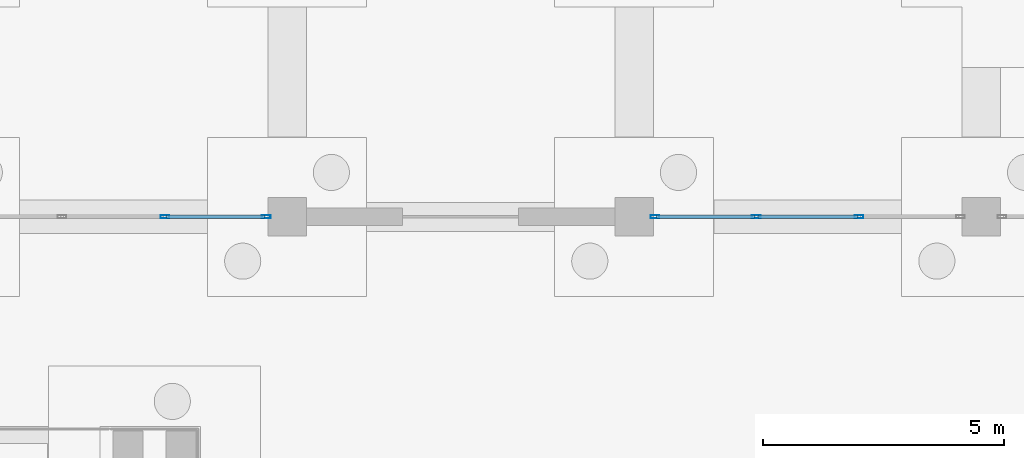
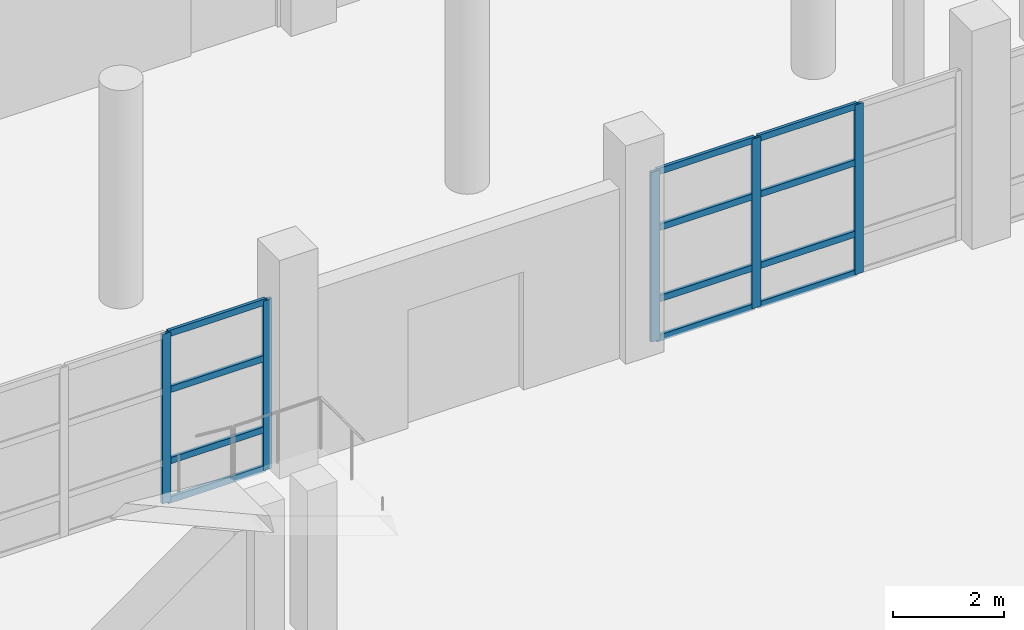
# One storey, part 21 of 42: 17 members, 2 elements without a shape of their own.
"""IFC4 building model written with IfcOpenShell, lengths in metres."""

from ifc_helpers import new_model, si_unit, direction, frame, origin, origin_2d, place, context, subcontext, project, spatial, hollow_rectangle, extrude, material, material_profile, profile_set, type_object, element, aggregate, save


model = new_model("IFC4")

# Units and contexts
model_context = context("Model", 3, precision=1e-05, world=origin(), true_north=direction((0.0, 1.0)))
body_context = subcontext(model_context, "Body", "Model", "MODEL_VIEW")
ifc_project = project(units=[si_unit("LENGTHUNIT", "METRE"), si_unit("AREAUNIT", "SQUARE_METRE"), si_unit("VOLUMEUNIT", "CUBIC_METRE"), si_unit("PLANEANGLEUNIT", "RADIAN"), si_unit("MASSUNIT", "GRAM", prefix="KILO")], contexts=[model_context])

# Site, building, storey
site_placement = place(None, origin())
site = spatial("IfcSite", under=ifc_project, at=site_placement, CompositionType="ELEMENT")
building_placement = place(site_placement, origin())
building = spatial("IfcBuilding", under=site, at=building_placement, Name="Pellamere Symphony Hall", CompositionType="ELEMENT")
storey_placement = place(building_placement, frame((0.0, 0.0, -4.800048828125)))
storey = spatial("IfcBuildingStorey", under=building, at=storey_placement, Name="B1", CompositionType="ELEMENT", Elevation=-4.800048828125)

# Curtain wall, members
ifc_material_1 = material(Name="Thermally Broken Anodised Aluminium 6063-T6 Curtain Wall", Category="aluminium")
curtain_wall_type = type_object("IfcCurtainWallType", Name="Curtain Wall CW-02 (Winter-Garden South Concourse Curtain Wall)", PredefinedType="NOTDEFINED", material=ifc_material_1)
curtain_wall_1_placement = place(storey_placement, origin())
curtain_wall_1 = element("IfcCurtainWall", 1, at=curtain_wall_1_placement, inside=storey, type_object=curtain_wall_type, Name="Winter-Garden South Curtain Wall (B1 Bay 2)", PredefinedType="NOTDEFINED")
ifc_material_2 = material(Name="Anodised Architectural Aluminium 6063-T6", Category="aluminium")
ifc_material_profile_1 = material_profile(ifc_material_2, hollow_rectangle(XDim=0.06494140625, YDim=0.179931640625, WallThickness=0.00390625, at=origin_2d()), Name="ALU-M65X180X4")
ifc_profile_set_1 = profile_set([ifc_material_profile_1], Name="Anodised Architectural Aluminium 6063-T6")
member_type_1 = type_object("IfcMemberType", Name="Curtain Wall Mullion ML-02 ALU-M65X180X4", PredefinedType="MULLION", material=ifc_profile_set_1)
member_1_placement = place(storey_placement, frame((63.466552734375, 18.0, 0.0), z_axis=(0.0, 0.0, 1.0), x_axis=(0.0, 1.0, 0.0)))
member_1 = element("IfcMember", 2, at=member_1_placement, type_object=member_type_1, Name="CW2-058 crystal mullion 3", PredefinedType="MULLION", context=body_context, shape_type="SweptSolid", body=[
    extrude(hollow_rectangle(XDim=0.06494140625, YDim=0.179931640625, WallThickness=0.00390625, at=origin_2d()), origin(), (0.0, 0.0, 1.0), 3.72998046875),
])
member_2_placement = place(storey_placement, frame((65.5673828125, 18.0, 0.0), z_axis=(0.0, 0.0, 1.0), x_axis=(0.0, 1.0, 0.0)))
member_2 = element("IfcMember", 3, at=member_2_placement, type_object=member_type_1, Name="CW2-058 crystal mullion 4", PredefinedType="MULLION", context=body_context, shape_type="SweptSolid", body=[
    extrude(hollow_rectangle(XDim=0.06494140625, YDim=0.179931640625, WallThickness=0.00390625, at=origin_2d()), origin(), (0.0, 0.0, 1.0), 3.72998046875),
])

curtain_wall_2_placement = place(storey_placement, origin())
curtain_wall_2 = element("IfcCurtainWall", 4, at=curtain_wall_2_placement, inside=storey, type_object=curtain_wall_type, Name="Winter-Garden South Curtain Wall (B1 Bay 4)", PredefinedType="NOTDEFINED")
member_3_placement = place(storey_placement, frame((73.632568359375, 18.0, 0.0), z_axis=(0.0, 0.0, 1.0), x_axis=(0.0, 1.0, 0.0)))
member_3 = element("IfcMember", 5, at=member_3_placement, type_object=member_type_1, Name="CW2-059 crystal mullion 1", PredefinedType="MULLION", context=body_context, shape_type="SweptSolid", body=[
    extrude(hollow_rectangle(XDim=0.06494140625, YDim=0.179931640625, WallThickness=0.00390625, at=origin_2d()), origin(), (0.0, 0.0, 1.0), 3.72998046875),
])
member_4_placement = place(storey_placement, frame((75.7333984375, 18.0, 0.0), z_axis=(0.0, 0.0, 1.0), x_axis=(0.0, 1.0, 0.0)))
member_4 = element("IfcMember", 6, at=member_4_placement, type_object=member_type_1, Name="CW2-059 crystal mullion 2", PredefinedType="MULLION", context=body_context, shape_type="SweptSolid", body=[
    extrude(hollow_rectangle(XDim=0.06494140625, YDim=0.179931640625, WallThickness=0.00390625, at=origin_2d()), origin(), (0.0, 0.0, 1.0), 3.72998046875),
])
member_5_placement = place(storey_placement, frame((77.86669921875, 18.0, 0.0), z_axis=(0.0, 0.0, 1.0), x_axis=(0.0, 1.0, 0.0)))
member_5 = element("IfcMember", 7, at=member_5_placement, type_object=member_type_1, Name="CW2-059 crystal mullion 3", PredefinedType="MULLION", context=body_context, shape_type="SweptSolid", body=[
    extrude(hollow_rectangle(XDim=0.06494140625, YDim=0.179931640625, WallThickness=0.00390625, at=origin_2d()), origin(), (0.0, 0.0, 1.0), 3.72998046875),
])

# Member
ifc_material_profile_2 = material_profile(ifc_material_2, hollow_rectangle(XDim=0.06494140625, YDim=0.139892578125, WallThickness=0.00390625, at=origin_2d()), Name="ALU-T65X140X4")
ifc_profile_set_2 = profile_set([ifc_material_profile_2], Name="Anodised Architectural Aluminium 6063-T6")
member_type_2 = type_object("IfcMemberType", Name="Curtain Wall Transom TR-02 ALU-T65X140X4", PredefinedType="USERDEFINED", material=ifc_profile_set_2)
member_6_placement = place(storey_placement, frame((63.499267578125, 18.0, 0.032470703125), z_axis=(1.0, 0.0, 0.0), x_axis=(0.0, 1.0, 0.0)))
member_6 = element("IfcMember", 8, at=member_6_placement, type_object=member_type_2, Name="CW2-058 crystal transom 3.1", ObjectType="TRANSOM", PredefinedType="USERDEFINED", context=body_context, shape_type="SweptSolid", body=[
    extrude(hollow_rectangle(XDim=0.06494140625, YDim=0.139892578125, WallThickness=0.00390625, at=origin_2d()), origin(), (0.0, 0.0, 1.0), 2.03564453125),
])

member_7_placement = place(storey_placement, frame((63.499267578125, 18.0, 0.895263671875), z_axis=(1.0, 0.0, 0.0), x_axis=(0.0, 1.0, 0.0)))
member_7 = element("IfcMember", 9, at=member_7_placement, type_object=member_type_2, Name="CW2-058 crystal transom 3.2", ObjectType="TRANSOM", PredefinedType="USERDEFINED", context=body_context, shape_type="SweptSolid", body=[
    extrude(hollow_rectangle(XDim=0.06494140625, YDim=0.139892578125, WallThickness=0.00390625, at=origin_2d()), origin(), (0.0, 0.0, 1.0), 2.03564453125),
])

member_8_placement = place(storey_placement, frame((63.499267578125, 18.0, 2.4619140625), z_axis=(1.0, 0.0, 0.0), x_axis=(0.0, 1.0, 0.0)))
member_8 = element("IfcMember", 10, at=member_8_placement, type_object=member_type_2, Name="CW2-058 crystal transom 3.3", ObjectType="TRANSOM", PredefinedType="USERDEFINED", context=body_context, shape_type="SweptSolid", body=[
    extrude(hollow_rectangle(XDim=0.06494140625, YDim=0.139892578125, WallThickness=0.00390625, at=origin_2d()), origin(), (0.0, 0.0, 1.0), 2.03564453125),
])

member_9_placement = place(storey_placement, frame((63.499267578125, 18.0, 3.697509765625), z_axis=(1.0, 0.0, 0.0), x_axis=(0.0, 1.0, 0.0)))
member_9 = element("IfcMember", 11, at=member_9_placement, type_object=member_type_2, Name="CW2-058 crystal transom 3.4", ObjectType="TRANSOM", PredefinedType="USERDEFINED", context=body_context, shape_type="SweptSolid", body=[
    extrude(hollow_rectangle(XDim=0.06494140625, YDim=0.139892578125, WallThickness=0.00390625, at=origin_2d()), origin(), (0.0, 0.0, 1.0), 2.03564453125),
])

aggregate(curtain_wall_1, [member_1, member_2, member_6, member_7, member_8, member_9])

member_10_placement = place(storey_placement, frame((73.6650390625, 18.0, 0.032470703125), z_axis=(1.0, 0.0, 0.0), x_axis=(0.0, 1.0, 0.0)))
member_10 = element("IfcMember", 12, at=member_10_placement, type_object=member_type_2, Name="CW2-059 crystal transom 1.1", ObjectType="TRANSOM", PredefinedType="USERDEFINED", context=body_context, shape_type="SweptSolid", body=[
    extrude(hollow_rectangle(XDim=0.06494140625, YDim=0.139892578125, WallThickness=0.00390625, at=origin_2d()), origin(), (0.0, 0.0, 1.0), 2.035888671875),
])

member_11_placement = place(storey_placement, frame((73.6650390625, 18.0, 0.895263671875), z_axis=(1.0, 0.0, 0.0), x_axis=(0.0, 1.0, 0.0)))
member_11 = element("IfcMember", 13, at=member_11_placement, type_object=member_type_2, Name="CW2-059 crystal transom 1.2", ObjectType="TRANSOM", PredefinedType="USERDEFINED", context=body_context, shape_type="SweptSolid", body=[
    extrude(hollow_rectangle(XDim=0.06494140625, YDim=0.139892578125, WallThickness=0.00390625, at=origin_2d()), origin(), (0.0, 0.0, 1.0), 2.035888671875),
])

member_12_placement = place(storey_placement, frame((73.6650390625, 18.0, 2.4619140625), z_axis=(1.0, 0.0, 0.0), x_axis=(0.0, 1.0, 0.0)))
member_12 = element("IfcMember", 14, at=member_12_placement, type_object=member_type_2, Name="CW2-059 crystal transom 1.3", ObjectType="TRANSOM", PredefinedType="USERDEFINED", context=body_context, shape_type="SweptSolid", body=[
    extrude(hollow_rectangle(XDim=0.06494140625, YDim=0.139892578125, WallThickness=0.00390625, at=origin_2d()), origin(), (0.0, 0.0, 1.0), 2.035888671875),
])

member_13_placement = place(storey_placement, frame((73.6650390625, 18.0, 3.697509765625), z_axis=(1.0, 0.0, 0.0), x_axis=(0.0, 1.0, 0.0)))
member_13 = element("IfcMember", 15, at=member_13_placement, type_object=member_type_2, Name="CW2-059 crystal transom 1.4", ObjectType="TRANSOM", PredefinedType="USERDEFINED", context=body_context, shape_type="SweptSolid", body=[
    extrude(hollow_rectangle(XDim=0.06494140625, YDim=0.139892578125, WallThickness=0.00390625, at=origin_2d()), origin(), (0.0, 0.0, 1.0), 2.035888671875),
])

member_14_placement = place(storey_placement, frame((75.765869140625, 18.0, 0.032470703125), z_axis=(1.0, 0.0, 0.0), x_axis=(0.0, 1.0, 0.0)))
member_14 = element("IfcMember", 16, at=member_14_placement, type_object=member_type_2, Name="CW2-059 crystal transom 2.1", ObjectType="TRANSOM", PredefinedType="USERDEFINED", context=body_context, shape_type="SweptSolid", body=[
    extrude(hollow_rectangle(XDim=0.06494140625, YDim=0.139892578125, WallThickness=0.00390625, at=origin_2d()), origin(), (0.0, 0.0, 1.0), 2.068359375),
])

member_15_placement = place(storey_placement, frame((75.765869140625, 18.0, 0.895263671875), z_axis=(1.0, 0.0, 0.0), x_axis=(0.0, 1.0, 0.0)))
member_15 = element("IfcMember", 17, at=member_15_placement, type_object=member_type_2, Name="CW2-059 crystal transom 2.2", ObjectType="TRANSOM", PredefinedType="USERDEFINED", context=body_context, shape_type="SweptSolid", body=[
    extrude(hollow_rectangle(XDim=0.06494140625, YDim=0.139892578125, WallThickness=0.00390625, at=origin_2d()), origin(), (0.0, 0.0, 1.0), 2.068359375),
])

member_16_placement = place(storey_placement, frame((75.765869140625, 18.0, 2.4619140625), z_axis=(1.0, 0.0, 0.0), x_axis=(0.0, 1.0, 0.0)))
member_16 = element("IfcMember", 18, at=member_16_placement, type_object=member_type_2, Name="CW2-059 crystal transom 2.3", ObjectType="TRANSOM", PredefinedType="USERDEFINED", context=body_context, shape_type="SweptSolid", body=[
    extrude(hollow_rectangle(XDim=0.06494140625, YDim=0.139892578125, WallThickness=0.00390625, at=origin_2d()), origin(), (0.0, 0.0, 1.0), 2.068359375),
])

member_17_placement = place(storey_placement, frame((75.765869140625, 18.0, 3.697509765625), z_axis=(1.0, 0.0, 0.0), x_axis=(0.0, 1.0, 0.0)))
member_17 = element("IfcMember", 19, at=member_17_placement, type_object=member_type_2, Name="CW2-059 crystal transom 2.4", ObjectType="TRANSOM", PredefinedType="USERDEFINED", context=body_context, shape_type="SweptSolid", body=[
    extrude(hollow_rectangle(XDim=0.06494140625, YDim=0.139892578125, WallThickness=0.00390625, at=origin_2d()), origin(), (0.0, 0.0, 1.0), 2.068359375),
])

aggregate(curtain_wall_2, [member_3, member_4, member_5, member_10, member_11, member_12, member_13, member_14, member_15, member_16, member_17])

save(model, "model.ifc")
